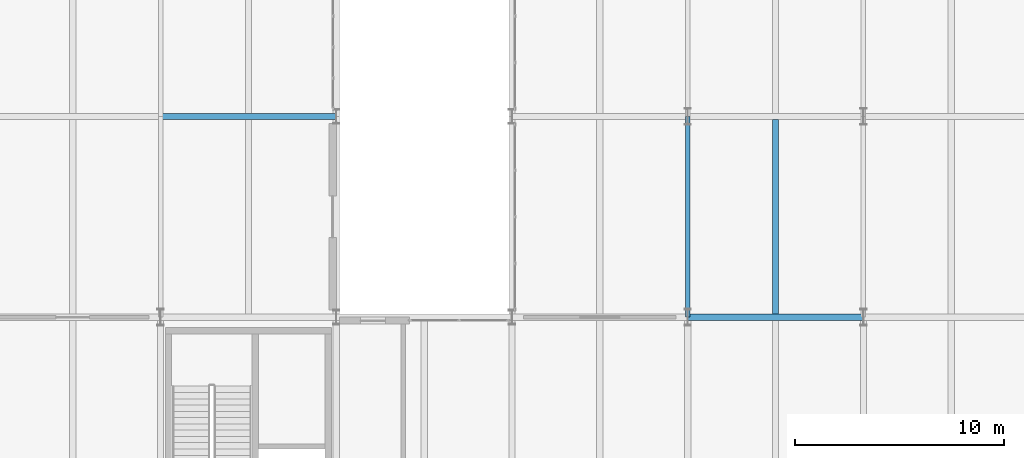
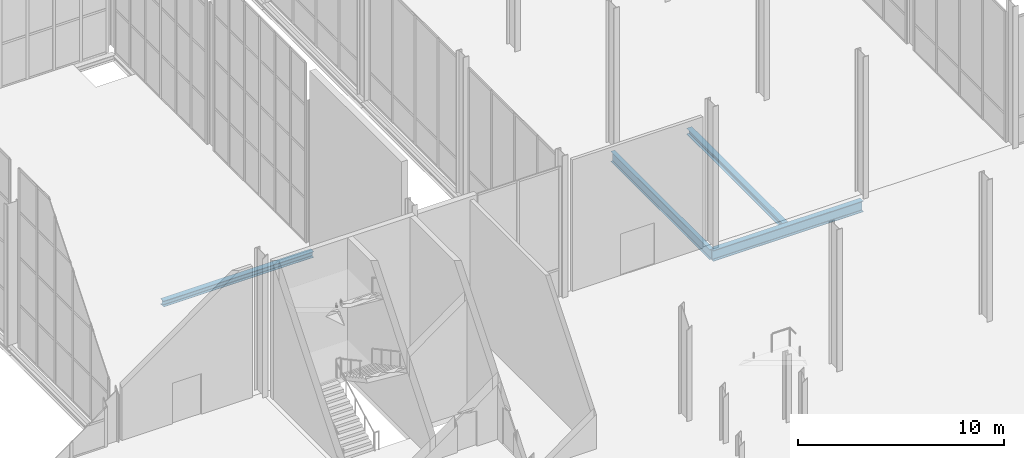
# One storey, part 54 of 131: 4 beams.
"""IFC4 building model written with IfcOpenShell, lengths in metres."""

from ifc_helpers import new_model, si_unit, direction, frame, origin, origin_2d, place, context, subcontext, project, spatial, i_section, extrude, material, material_profile, profile_set, type_object, element, save


model = new_model("IFC4")

# Units and contexts
model_context = context("Model", 3, precision=1e-05, world=origin(), true_north=direction((0.0, 1.0)))
body_context = subcontext(model_context, "Body", "Model", "MODEL_VIEW")
ifc_project = project(units=[si_unit("LENGTHUNIT", "METRE"), si_unit("AREAUNIT", "SQUARE_METRE"), si_unit("VOLUMEUNIT", "CUBIC_METRE"), si_unit("PLANEANGLEUNIT", "RADIAN"), si_unit("MASSUNIT", "GRAM", prefix="KILO")], contexts=[model_context])

# Site, building, storey
site_placement = place(None, origin())
site = spatial("IfcSite", under=ifc_project, at=site_placement, CompositionType="ELEMENT")
building_placement = place(site_placement, origin())
building = spatial("IfcBuilding", under=site, at=building_placement, Name="Veltarok Museum of Natural Sciences", CompositionType="ELEMENT")
storey_placement = place(building_placement, origin())
storey = spatial("IfcBuildingStorey", under=building, at=storey_placement, Name="L00", CompositionType="ELEMENT", Elevation=0.0)

# Beams
ifc_material = material(Name="Steel S355J2", Category="steel")
ifc_material_profile_1 = material_profile(ifc_material, i_section(OverallWidth=0.300048828125, OverallDepth=0.64990234375, WebThickness=0.01611328125, FlangeThickness=0.031005859375, FilletRadius=0.027099609375, at=origin_2d()), Name="HEB 650")
ifc_profile_set_1 = profile_set([ifc_material_profile_1], Name="Steel S355J2")
beam_type_1 = type_object("IfcBeamType", Name="Heavy Spine Girder HEB 650", PredefinedType="BEAM", material=ifc_profile_set_1)
beam_1_placement = place(storey_placement, frame((65.199951171875, 72.0, -0.625), z_axis=(1.0, 0.0, 0.0), x_axis=(0.0, 1.0, 0.0)))
element("IfcBeam", 1, at=beam_1_placement, inside=storey, type_object=beam_type_1, Name="Beam BM-G11 L00 8-9/H", PredefinedType="BEAM", context=body_context, shape_type="SweptSolid", body=[
    extrude(i_section(OverallWidth=0.300048828125, OverallDepth=0.64990234375, WebThickness=0.01611328125, FlangeThickness=0.031005859375, FilletRadius=0.027099609375, at=origin_2d()), origin(), (0.0, 0.0, 1.0), 8.400146484375),
])
ifc_material_profile_2 = material_profile(ifc_material, i_section(OverallWidth=0.300048828125, OverallDepth=0.35009765625, WebThickness=0.010009765625, FlangeThickness=0.017578125, FilletRadius=0.027099609375, at=origin_2d()), Name="HEA 360")
ifc_profile_set_2 = profile_set([ifc_material_profile_2], Name="Steel S355J2")
beam_type_2 = type_object("IfcBeamType", Name="Long-Span Gallery Joist HEA 360", PredefinedType="JOIST", material=ifc_profile_set_2)
beam_2_placement = place(storey_placement, frame((69.39990234375, 72.14794921875, -0.47509765625), z_axis=(0.0, 1.0, 0.0), x_axis=(-1.0, 0.0, 0.0)))
element("IfcBeam", 2, at=beam_2_placement, inside=storey, type_object=beam_type_2, Name="Secondary Joist BM-J07 L00 8-9/H-J.1", PredefinedType="JOIST", context=body_context, shape_type="SweptSolid", body=[
    extrude(i_section(OverallWidth=0.300048828125, OverallDepth=0.35009765625, WebThickness=0.010009765625, FlangeThickness=0.017578125, FilletRadius=0.027099609375, at=origin_2d()), origin(), (0.0, 0.0, 1.0), 9.303955078125),
])
ifc_material_profile_3 = material_profile(ifc_material, i_section(OverallWidth=0.300048828125, OverallDepth=0.340087890625, WebThickness=0.011962890625, FlangeThickness=0.021484375, FilletRadius=0.027099609375, at=origin_2d()), Name="HEB 340")
ifc_profile_set_3 = profile_set([ifc_material_profile_3], Name="Steel S355J2")
beam_type_3 = type_object("IfcBeamType", Name="Perimeter Bridge Spandrel HEB 340", PredefinedType="SPANDREL", material=ifc_profile_set_3)
beam_3_placement = place(storey_placement, frame((40.0, 81.60009765625, -0.469970703125), z_axis=(1.0, 0.0, 0.0), x_axis=(0.0, 1.0, 0.0)))
element("IfcBeam", 3, at=beam_3_placement, inside=storey, type_object=beam_type_3, Name="Beam BM-SP07 L00 5-6/J", PredefinedType="SPANDREL", context=body_context, shape_type="SweptSolid", body=[
    extrude(i_section(OverallWidth=0.300048828125, OverallDepth=0.340087890625, WebThickness=0.011962890625, FlangeThickness=0.021484375, FilletRadius=0.027099609375, at=origin_2d()), origin(), (0.0, 0.0, 1.0), 8.39990234375),
])
ifc_material_profile_4 = material_profile(ifc_material, i_section(OverallWidth=0.219970703125, OverallDepth=0.60009765625, WebThickness=0.011962890625, FlangeThickness=0.01904296875, FilletRadius=0.02392578125, at=origin_2d()), Name="IPE 600")
ifc_profile_set_4 = profile_set([ifc_material_profile_4], Name="Steel S355J2")
beam_type_4 = type_object("IfcBeamType", Name="Primary Museum Girder IPE 600", PredefinedType="BEAM", material=ifc_profile_set_4)
beam_4_placement = place(storey_placement, frame((65.199951171875, 72.0, -0.60009765625), z_axis=(0.0, 1.0, 0.0), x_axis=(-1.0, 0.0, 0.0)))
element("IfcBeam", 4, at=beam_4_placement, inside=storey, type_object=beam_type_4, Name="Beam BM-G02 L00 8/H-J", PredefinedType="BEAM", context=body_context, shape_type="SweptSolid", body=[
    extrude(i_section(OverallWidth=0.219970703125, OverallDepth=0.60009765625, WebThickness=0.011962890625, FlangeThickness=0.01904296875, FilletRadius=0.02392578125, at=origin_2d()), origin(), (0.0, 0.0, 1.0), 9.60009765625),
])

save(model, "model.ifc")
